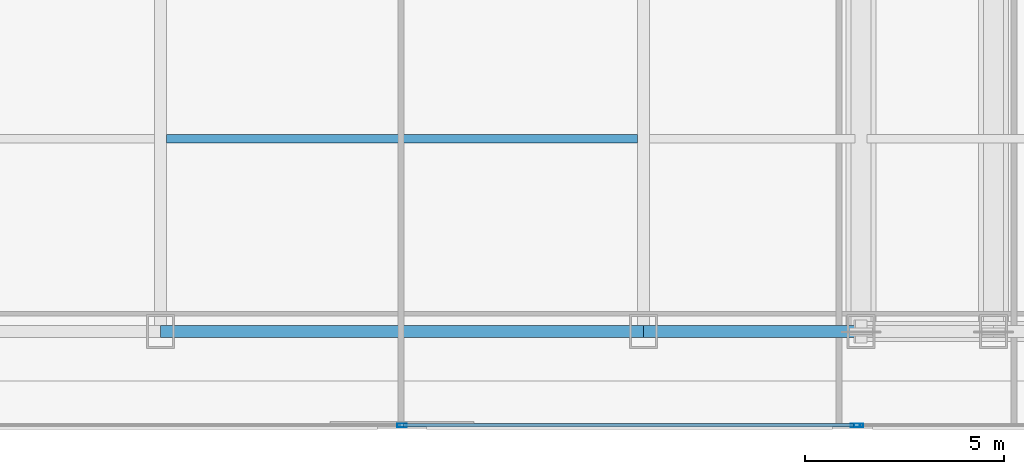
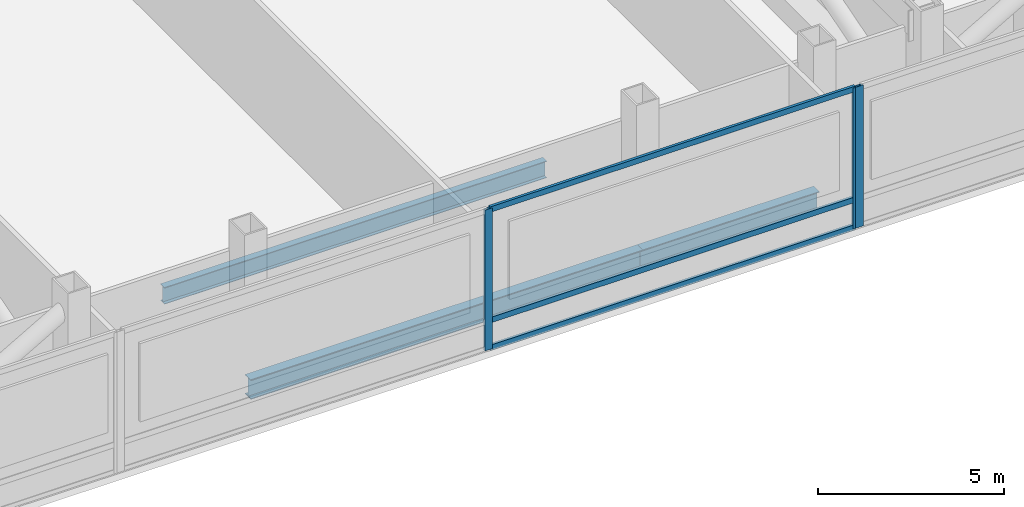
# One storey, part 13 of 32: 6 members, 3 beams, 2 elements without a shape of their own.
"""IFC4 building model written with IfcOpenShell, lengths in metres."""

from ifc_helpers import new_model, si_unit, direction, frame, origin, origin_2d, place, context, subcontext, project, spatial, hollow_rectangle, i_section, extrude, material, material_profile, profile_set, type_object, element, aggregate, save


model = new_model("IFC4")

# Units and contexts
model_context = context("Model", 3, precision=1e-05, world=origin(), true_north=direction((0.0, 1.0)))
body_context = subcontext(model_context, "Body", "Model", "MODEL_VIEW")
ifc_project = project(units=[si_unit("LENGTHUNIT", "METRE"), si_unit("AREAUNIT", "SQUARE_METRE"), si_unit("VOLUMEUNIT", "CUBIC_METRE"), si_unit("PLANEANGLEUNIT", "RADIAN"), si_unit("MASSUNIT", "GRAM", prefix="KILO")], contexts=[model_context])

# Site, building, storey
site_placement = place(None, origin())
site = spatial("IfcSite", under=ifc_project, at=site_placement, CompositionType="ELEMENT")
building_placement = place(site_placement, origin())
building = spatial("IfcBuilding", under=site, at=building_placement, Name="Khoronbel Lancet Exchange", CompositionType="ELEMENT")
storey_placement = place(building_placement, frame((0.0, 0.0, 85.800048828125)))
storey = spatial("IfcBuildingStorey", under=building, at=storey_placement, Name="L20", CompositionType="ELEMENT", Elevation=85.800048828125)

# Beams
ifc_material_1 = material(Name="Steel S355", Category="steel")
ifc_material_profile_1 = material_profile(ifc_material_1, i_section(OverallWidth=0.2099609375, OverallDepth=0.550048828125, WebThickness=0.010986328125, FlangeThickness=0.01708984375, at=origin_2d()), Name="IPE 550")
ifc_profile_set_1 = profile_set([ifc_material_profile_1], Name="Steel S355")
beam_type_1 = type_object("IfcBeamType", Name="BM-BJ2", PredefinedType="JOIST", material=ifc_profile_set_1)
beam_1_placement = place(storey_placement, frame((30.52490234375, 15.0, -0.4951171875), z_axis=(1.0, 0.0, 0.0), x_axis=(0.0, 1.0, 0.0)))
element("IfcBeam", 1, at=beam_1_placement, inside=storey, type_object=beam_type_1, Name="Level L20 secondary composite joist J03", PredefinedType="JOIST", context=body_context, shape_type="SweptSolid", body=[
    extrude(i_section(OverallWidth=0.2099609375, OverallDepth=0.550048828125, WebThickness=0.010986328125, FlangeThickness=0.01708984375, at=origin_2d()), origin(), (0.0, 0.0, 1.0), 11.85009765625),
])
ifc_material_profile_2 = material_profile(ifc_material_1, i_section(OverallWidth=0.300048828125, OverallDepth=0.64990234375, WebThickness=0.01611328125, FlangeThickness=0.031005859375, at=origin_2d()), Name="HEB 650")
ifc_profile_set_2 = profile_set([ifc_material_profile_2], Name="Steel S355")
beam_type_2 = type_object("IfcBeamType", Name="BM-BSP1", PredefinedType="SPANDREL", material=ifc_profile_set_2)
beam_2_placement = place(storey_placement, frame((30.375, 10.14990234375, -0.545166015625), z_axis=(1.0, 0.0, 0.0), x_axis=(0.0, 1.0, 0.0)))
element("IfcBeam", 2, at=beam_2_placement, inside=storey, type_object=beam_type_2, Name="Level L20 perimeter spandrel beam SP05", PredefinedType="SPANDREL", context=body_context, shape_type="SweptSolid", body=[
    extrude(i_section(OverallWidth=0.300048828125, OverallDepth=0.64990234375, WebThickness=0.01611328125, FlangeThickness=0.031005859375, at=origin_2d()), origin(), (0.0, 0.0, 1.0), 12.14990234375),
])
beam_3_placement = place(storey_placement, frame((42.52490234375, 10.14990234375, -0.545166015625), z_axis=(1.0, 0.0, 0.0), x_axis=(0.0, 1.0, 0.0)))
element("IfcBeam", 3, at=beam_3_placement, inside=storey, type_object=beam_type_2, Name="Level L20 perimeter spandrel beam SP06", PredefinedType="SPANDREL", context=body_context, shape_type="SweptSolid", body=[
    extrude(i_section(OverallWidth=0.300048828125, OverallDepth=0.64990234375, WebThickness=0.01611328125, FlangeThickness=0.031005859375, at=origin_2d()), origin(), (0.0, 0.0, 1.0), 5.47509765625),
])

# Curtain wall, members
ifc_material_2 = material(Name="Low-E Solar Control Insulating Glass", Category="glass")
curtain_wall_type = type_object("IfcCurtainWallType", Name="CW-2", PredefinedType="NOTDEFINED", material=ifc_material_2)
curtain_wall_1_placement = place(storey_placement, origin())
curtain_wall_1 = element("IfcCurtainWall", 4, at=curtain_wall_1_placement, inside=storey, type_object=curtain_wall_type, Name="Unitised curtain wall CW-L20-SCV", PredefinedType="NOTDEFINED")
ifc_material_3 = material(Name="Bronze-Anodised Aluminium 6063-T6", Category="aluminium")
ifc_material_profile_3 = material_profile(ifc_material_3, hollow_rectangle(XDim=0.0849609375, YDim=0.239990234375, WallThickness=0.006103515625, at=origin_2d()), Name="ALU MULLION 85x240")
ifc_profile_set_3 = profile_set([ifc_material_profile_3], Name="Bronze-Anodised Aluminium 6063-T6")
member_type_1 = type_object("IfcMemberType", Name="MEM-CWM1", PredefinedType="MULLION", material=ifc_profile_set_3)
member_1_placement = place(storey_placement, frame((36.449951171875, 7.7900390625, 0.0), z_axis=(0.0, 0.0, 1.0), x_axis=(0.0, 1.0, 0.0)))
member_1 = element("IfcMember", 5, at=member_1_placement, type_object=member_type_1, Name="CW2 mullion 2", PredefinedType="MULLION", context=body_context, shape_type="SweptSolid", body=[
    extrude(hollow_rectangle(XDim=0.0849609375, YDim=0.239990234375, WallThickness=0.006103515625, at=origin_2d()), origin(), (0.0, 0.0, 1.0), 4.619873046875),
])
member_2_placement = place(storey_placement, frame((47.857421875, 7.7900390625, 0.0), z_axis=(0.0, 0.0, 1.0), x_axis=(0.0, 1.0, 0.0)))
member_2 = element("IfcMember", 6, at=member_2_placement, type_object=member_type_1, Name="CW2 mullion 3", PredefinedType="MULLION", context=body_context, shape_type="SweptSolid", body=[
    extrude(hollow_rectangle(XDim=0.0849609375, YDim=0.239990234375, WallThickness=0.006103515625, at=origin_2d()), origin(), (0.0, 0.0, 1.0), 4.619873046875),
])

# Curtain wall, member
curtain_wall_2_placement = place(storey_placement, origin())
curtain_wall_2 = element("IfcCurtainWall", 7, at=curtain_wall_2_placement, inside=storey, type_object=curtain_wall_type, Name="Unitised curtain wall CW-L20-SEB", PredefinedType="NOTDEFINED")
member_3_placement = place(storey_placement, frame((47.9423828125, 7.7900390625, 0.0), z_axis=(0.0, 0.0, 1.0), x_axis=(0.0, 1.0, 0.0)))
member_3 = element("IfcMember", 8, at=member_3_placement, type_object=member_type_1, Name="CW2 mullion 1", PredefinedType="MULLION", context=body_context, shape_type="SweptSolid", body=[
    extrude(hollow_rectangle(XDim=0.0849609375, YDim=0.239990234375, WallThickness=0.006103515625, at=origin_2d()), origin(), (0.0, 0.0, 1.0), 4.619873046875),
])
aggregate(curtain_wall_2, [member_3])

# Member
ifc_material_profile_4 = material_profile(ifc_material_3, hollow_rectangle(XDim=0.0849609375, YDim=0.179931640625, WallThickness=0.0048828125, at=origin_2d()), Name="ALU TRANSOM 85x180")
ifc_profile_set_4 = profile_set([ifc_material_profile_4], Name="Bronze-Anodised Aluminium 6063-T6")
member_type_2 = type_object("IfcMemberType", Name="MEM-CWT1", PredefinedType="USERDEFINED", material=ifc_profile_set_4)
member_4_placement = place(storey_placement, frame((36.492431640625, 7.7900390625, 0.04248046875), z_axis=(1.0, 0.0, 0.0), x_axis=(0.0, 1.0, 0.0)))
member_4 = element("IfcMember", 9, at=member_4_placement, type_object=member_type_2, Name="CW2 transom 2.1", ObjectType="TRANSOM", PredefinedType="USERDEFINED", context=body_context, shape_type="SweptSolid", body=[
    extrude(hollow_rectangle(XDim=0.0849609375, YDim=0.179931640625, WallThickness=0.0048828125, at=origin_2d()), origin(), (0.0, 0.0, 1.0), 11.322509765625),
])

member_5_placement = place(storey_placement, frame((36.492431640625, 7.7900390625, 0.949951171875), z_axis=(1.0, 0.0, 0.0), x_axis=(0.0, 1.0, 0.0)))
member_5 = element("IfcMember", 10, at=member_5_placement, type_object=member_type_2, Name="CW2 transom 2.2", ObjectType="TRANSOM", PredefinedType="USERDEFINED", context=body_context, shape_type="SweptSolid", body=[
    extrude(hollow_rectangle(XDim=0.0849609375, YDim=0.179931640625, WallThickness=0.0048828125, at=origin_2d()), origin(), (0.0, 0.0, 1.0), 11.322509765625),
])

member_6_placement = place(storey_placement, frame((36.492431640625, 7.7900390625, 4.577392578125), z_axis=(1.0, 0.0, 0.0), x_axis=(0.0, 1.0, 0.0)))
member_6 = element("IfcMember", 11, at=member_6_placement, type_object=member_type_2, Name="CW2 transom 2.3", ObjectType="TRANSOM", PredefinedType="USERDEFINED", context=body_context, shape_type="SweptSolid", body=[
    extrude(hollow_rectangle(XDim=0.0849609375, YDim=0.179931640625, WallThickness=0.0048828125, at=origin_2d()), origin(), (0.0, 0.0, 1.0), 11.322509765625),
])

aggregate(curtain_wall_1, [member_1, member_2, member_4, member_5, member_6])

save(model, "model.ifc")
